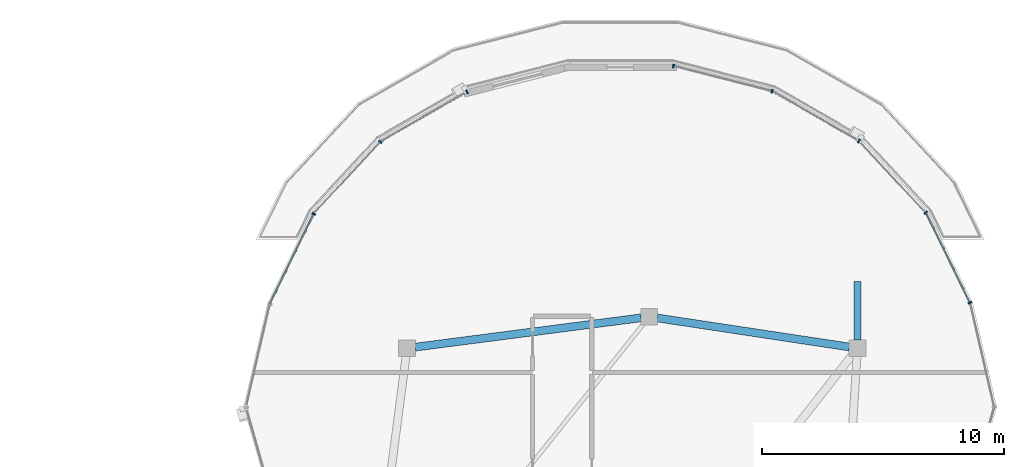
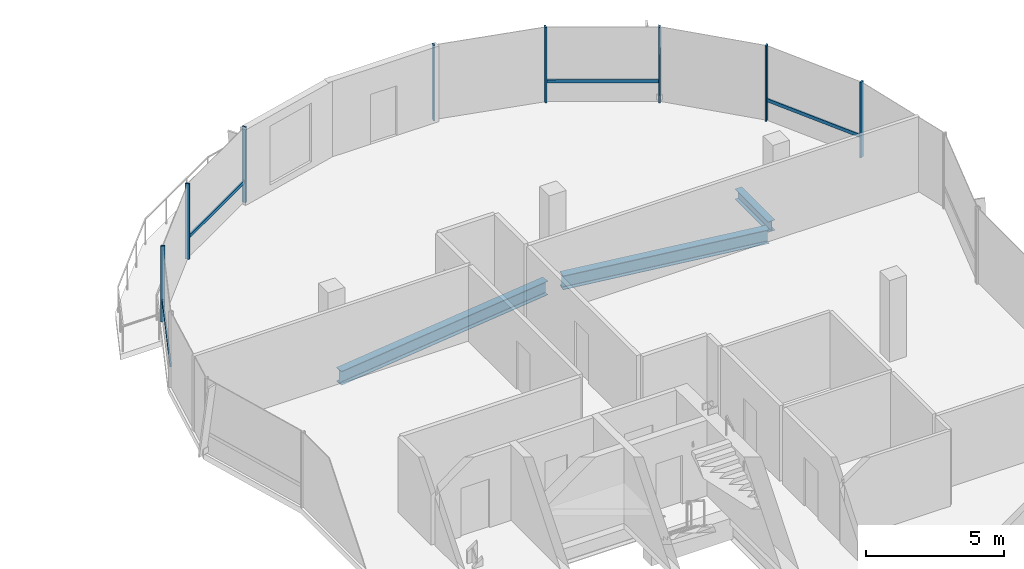
# One storey, part 9 of 20: 12 members, 3 beams, 2 elements without a shape of their own.
"""IFC4 building model written with IfcOpenShell, lengths in metres."""

from ifc_helpers import new_model, si_unit, direction, frame, origin, origin_2d, place, context, subcontext, project, spatial, rectangle, i_section, extrude, material, material_profile, profile_set, type_object, element, aggregate, save


model = new_model("IFC4")

# Units and contexts
model_context = context("Model", 3, precision=1e-05, world=origin(), true_north=direction((0.0, 1.0)))
body_context = subcontext(model_context, "Body", "Model", "MODEL_VIEW")
ifc_project = project(units=[si_unit("LENGTHUNIT", "METRE"), si_unit("AREAUNIT", "SQUARE_METRE"), si_unit("VOLUMEUNIT", "CUBIC_METRE"), si_unit("PLANEANGLEUNIT", "RADIAN"), si_unit("MASSUNIT", "GRAM", prefix="KILO"), si_unit("THERMODYNAMICTEMPERATUREUNIT", "KELVIN"), si_unit("POWERUNIT", "WATT")], contexts=[model_context])

# Site, building, storey
site_placement = place(None, origin())
site = spatial("IfcSite", under=ifc_project, at=site_placement, CompositionType="ELEMENT")
building_placement = place(site_placement, origin())
building = spatial("IfcBuilding", under=site, at=building_placement, Name="Cundina Bronze Exchange", CompositionType="ELEMENT")
storey_placement = place(building_placement, frame((0.0, 0.0, 279.199951171875)))
storey = spatial("IfcBuildingStorey", under=building, at=storey_placement, Name="L74", CompositionType="ELEMENT", Elevation=279.199951171875)

# Beams
ifc_material_1 = material(Name="Steel ASTM A992 Grade 50", Category="steel")
ifc_material_profile_1 = material_profile(ifc_material_1, i_section(OverallWidth=0.280029296875, OverallDepth=0.462890625, WebThickness=0.0107421875, FlangeThickness=0.017333984375, FilletRadius=0.011962890625, at=origin_2d()), Name="W18X76", Category="steel")
ifc_profile_set_1 = profile_set([ifc_material_profile_1], Name="Steel ASTM A992 Grade 50")
beam_type_1 = type_object("IfcBeamType", Name="BM-FLR-W18A", PredefinedType="BEAM", material=ifc_profile_set_1)
beam_1_placement = place(storey_placement, frame((41.800048828125, 9.837890625, -0.496337890625), z_axis=(0.0, 1.0, 0.0), x_axis=(-1.0, 0.0, 0.0)))
element("IfcBeam", 1, at=beam_1_placement, inside=storey, type_object=beam_type_1, Name="L74 E Crown Terrace Edge Bracket 2", PredefinedType="BEAM", context=body_context, shape_type="SweptSolid", body=[
    extrude(i_section(OverallWidth=0.280029296875, OverallDepth=0.462890625, WebThickness=0.0107421875, FlangeThickness=0.017333984375, FilletRadius=0.011962890625, at=origin_2d()), origin(), (0.0, 0.0, 1.0), 2.412109375),
])
ifc_material_profile_2 = material_profile(ifc_material_1, i_section(OverallWidth=0.324951171875, OverallDepth=0.615966796875, WebThickness=0.013916015625, FlangeThickness=0.021484375, FilletRadius=0.01611328125, at=origin_2d()), Name="W24X117", Category="steel")
ifc_profile_set_2 = profile_set([ifc_material_profile_2], Name="Steel ASTM A992 Grade 50")
beam_type_2 = type_object("IfcBeamType", Name="BM-RING-W24", PredefinedType="USERDEFINED", material=ifc_profile_set_2)
beam_2_placement = place(storey_placement, frame((41.4658203125, 9.550537109375, -0.56787109375), z_axis=(-0.988766944604, 0.149465478483, 0.0), x_axis=(-0.149465478483, -0.988766944604, 0.0)))
element("IfcBeam", 2, at=beam_2_placement, inside=storey, type_object=beam_type_2, Name="L74 E Inner Structural Ring Girder 05", ObjectType="GIRDER", PredefinedType="USERDEFINED", context=body_context, shape_type="SweptSolid", body=[
    extrude(i_section(OverallWidth=0.324951171875, OverallDepth=0.615966796875, WebThickness=0.013916015625, FlangeThickness=0.021484375, FilletRadius=0.01611328125, at=origin_2d()), origin(), (0.0, 0.0, 1.0), 8.021728515625),
])
beam_3_placement = place(storey_placement, frame((32.86474609375, 10.75634765625, -0.56787109375), z_axis=(-0.991658337433, -0.128894304758, 0.0), x_axis=(0.128894304758, -0.991658337433, 0.0)))
element("IfcBeam", 3, at=beam_3_placement, inside=storey, type_object=beam_type_2, Name="L74 E Inner Structural Ring Girder 06", ObjectType="GIRDER", PredefinedType="USERDEFINED", context=body_context, shape_type="SweptSolid", body=[
    extrude(i_section(OverallWidth=0.324951171875, OverallDepth=0.615966796875, WebThickness=0.013916015625, FlangeThickness=0.021484375, FilletRadius=0.01611328125, at=origin_2d()), origin(), (0.0, 0.0, 1.0), 9.407958984375),
])

# Curtain wall, members
ifc_material_2 = material(Name="Anodised Bronze Aluminium 6063-T6", Category="aluminium")
curtain_wall_type = type_object("IfcCurtainWallType", Name="CWS-CRN-TMD", PredefinedType="NOTDEFINED", material=ifc_material_2)
curtain_wall_1_placement = place(storey_placement, origin())
curtain_wall_1 = element("IfcCurtainWall", 4, at=curtain_wall_1_placement, inside=storey, type_object=curtain_wall_type, Name="L74 CW-07 Curtain Wall Run CWR-L74-E1", PredefinedType="NOTDEFINED")
ifc_material_profile_3 = material_profile(ifc_material_2, rectangle(XDim=0.06494140625, YDim=0.159912109375, at=origin_2d()), Name="AL65X160", Category="aluminium")
ifc_profile_set_3 = profile_set([ifc_material_profile_3], Name="Anodised Bronze Aluminium 6063-T6")
member_type_1 = type_object("IfcMemberType", Name="CWM-MUL-160", PredefinedType="MULLION", material=ifc_profile_set_3)
member_1_placement = place(storey_placement, frame((46.4462890625, 11.382080078125, 0.0), z_axis=(0.0, 0.0, 1.0), x_axis=(-0.439312121178, 0.898334492373, 0.0)))
member_1 = element("IfcMember", 5, at=member_1_placement, type_object=member_type_1, Name="CW-07 Mullion 3", PredefinedType="MULLION", context=body_context, shape_type="SweptSolid", body=[
    extrude(rectangle(XDim=0.06494140625, YDim=0.159912109375, at=origin_2d()), origin(), (0.0, 0.0, 1.0), 3.340087890625),
])
member_2_placement = place(storey_placement, frame((44.619873046875, 15.097412109375, 0.0), z_axis=(0.0, 0.0, 1.0), x_axis=(-0.680465121782, 0.732780470562, 0.0)))
member_2 = element("IfcMember", 6, at=member_2_placement, type_object=member_type_1, Name="CW-07 Mullion 4", PredefinedType="MULLION", context=body_context, shape_type="SweptSolid", body=[
    extrude(rectangle(XDim=0.06494140625, YDim=0.159912109375, at=origin_2d()), origin(), (0.0, 0.0, 1.0), 3.340087890625),
])
member_3_placement = place(storey_placement, frame((41.859619140625, 18.05615234375, 0.0), z_axis=(0.0, 0.0, 1.0), x_axis=(-0.866461406284, 0.499244059975, 0.0)))
member_3 = element("IfcMember", 7, at=member_3_placement, type_object=member_type_1, Name="CW-07 Mullion 5", PredefinedType="MULLION", context=body_context, shape_type="SweptSolid", body=[
    extrude(rectangle(XDim=0.06494140625, YDim=0.159912109375, at=origin_2d()), origin(), (0.0, 0.0, 1.0), 3.340087890625),
])
member_4_placement = place(storey_placement, frame((38.272216796875, 20.11328125, 0.0), z_axis=(0.0, 0.0, 1.0), x_axis=(-0.968756543371, 0.248013628006, 0.0)))
member_4 = element("IfcMember", 8, at=member_4_placement, type_object=member_type_1, Name="CW-07 Mullion 6", PredefinedType="MULLION", context=body_context, shape_type="SweptSolid", body=[
    extrude(rectangle(XDim=0.06494140625, YDim=0.159912109375, at=origin_2d()), origin(), (0.0, 0.0, 1.0), 3.340087890625),
])
member_5_placement = place(storey_placement, frame((34.197265625, 21.15673828125, 0.0), z_axis=(0.0, 0.0, 1.0), x_axis=(-0.968756543371, 0.248013628006, 0.0)))
member_5 = element("IfcMember", 9, at=member_5_placement, type_object=member_type_1, Name="CW-07 End Mullion", PredefinedType="MULLION", context=body_context, shape_type="SweptSolid", body=[
    extrude(rectangle(XDim=0.06494140625, YDim=0.159912109375, at=origin_2d()), origin(), (0.0, 0.0, 1.0), 3.340087890625),
])

curtain_wall_2_placement = place(storey_placement, origin())
curtain_wall_2 = element("IfcCurtainWall", 10, at=curtain_wall_2_placement, inside=storey, type_object=curtain_wall_type, Name="L74 CW-07 Curtain Wall Run CWR-L74-E2", PredefinedType="NOTDEFINED")
member_6_placement = place(storey_placement, frame((25.66943359375, 20.089599609375, 0.0), z_axis=(0.0, 0.0, 1.0), x_axis=(-0.866461406284, -0.499244059975, 0.0)))
member_6 = element("IfcMember", 11, at=member_6_placement, type_object=member_type_1, Name="CW-07 Mullion 1", PredefinedType="MULLION", context=body_context, shape_type="SweptSolid", body=[
    extrude(rectangle(XDim=0.06494140625, YDim=0.159912109375, at=origin_2d()), origin(), (0.0, 0.0, 1.0), 3.340087890625),
])
member_7_placement = place(storey_placement, frame((22.09326171875, 18.0185546875, 0.0), z_axis=(0.0, 0.0, 1.0), x_axis=(-0.680465121782, -0.732780470562, 0.0)))
member_7 = element("IfcMember", 12, at=member_7_placement, type_object=member_type_1, Name="CW-07 Mullion 2", PredefinedType="MULLION", context=body_context, shape_type="SweptSolid", body=[
    extrude(rectangle(XDim=0.06494140625, YDim=0.159912109375, at=origin_2d()), origin(), (0.0, 0.0, 1.0), 3.340087890625),
])
member_8_placement = place(storey_placement, frame((19.345947265625, 15.047119140625, 0.0), z_axis=(0.0, 0.0, 1.0), x_axis=(-0.439312121178, -0.898334492373, 0.0)))
member_8 = element("IfcMember", 13, at=member_8_placement, type_object=member_type_1, Name="CW-07 Mullion 3", PredefinedType="MULLION", context=body_context, shape_type="SweptSolid", body=[
    extrude(rectangle(XDim=0.06494140625, YDim=0.159912109375, at=origin_2d()), origin(), (0.0, 0.0, 1.0), 3.340087890625),
])

# Member
ifc_material_profile_4 = material_profile(ifc_material_2, rectangle(XDim=0.06494140625, YDim=0.14990234375, at=origin_2d()), Name="AL65X150", Category="aluminium")
ifc_profile_set_4 = profile_set([ifc_material_profile_4], Name="Anodised Bronze Aluminium 6063-T6")
member_type_2 = type_object("IfcMemberType", Name="CWM-TRN-150", PredefinedType="USERDEFINED", material=ifc_profile_set_4)
member_9_placement = place(storey_placement, frame((46.430419921875, 11.4140625, 0.920166015625), z_axis=(-0.439225157516, 0.898377014958, 0.0), x_axis=(-0.898377014958, -0.439225157516, 0.0)))
member_9 = element("IfcMember", 14, at=member_9_placement, type_object=member_type_2, Name="CW-07 Spandrel Transom 3", ObjectType="TRANSOM", PredefinedType="USERDEFINED", context=body_context, shape_type="SweptSolid", body=[
    extrude(rectangle(XDim=0.06494140625, YDim=0.14990234375, at=origin_2d()), origin(), (0.0, 0.0, 1.0), 4.079833984375),
])

member_10_placement = place(storey_placement, frame((41.82861328125, 18.073974609375, 0.920166015625), z_axis=(-0.866455894973, 0.49925362499, 0.0), x_axis=(-0.49925362499, -0.866455894973, 0.0)))
member_10 = element("IfcMember", 15, at=member_10_placement, type_object=member_type_2, Name="CW-07 Spandrel Transom 5", ObjectType="TRANSOM", PredefinedType="USERDEFINED", context=body_context, shape_type="SweptSolid", body=[
    extrude(rectangle(XDim=0.06494140625, YDim=0.14990234375, at=origin_2d()), origin(), (0.0, 0.0, 1.0), 4.072998046875),
])

aggregate(curtain_wall_1, [member_1, member_9, member_2, member_3, member_10, member_4, member_5])

member_11_placement = place(storey_placement, frame((25.638427734375, 20.07177734375, 0.920166015625), z_axis=(-0.866429964967, -0.499298623879, 0.0), x_axis=(0.499298623879, -0.866429964967, 0.0)))
member_11 = element("IfcMember", 16, at=member_11_placement, type_object=member_type_2, Name="CW-07 Spandrel Transom 1", ObjectType="TRANSOM", PredefinedType="USERDEFINED", context=body_context, shape_type="SweptSolid", body=[
    extrude(rectangle(XDim=0.06494140625, YDim=0.14990234375, at=origin_2d()), origin(), (0.0, 0.0, 1.0), 4.072998046875),
])

member_12_placement = place(storey_placement, frame((19.330078125, 15.01513671875, 0.920166015625), z_axis=(-0.439225157516, -0.898377014958, 0.0), x_axis=(0.898377014958, -0.439225157516, 0.0)))
member_12 = element("IfcMember", 17, at=member_12_placement, type_object=member_type_2, Name="CW-07 Spandrel Transom 3", ObjectType="TRANSOM", PredefinedType="USERDEFINED", context=body_context, shape_type="SweptSolid", body=[
    extrude(rectangle(XDim=0.06494140625, YDim=0.14990234375, at=origin_2d()), origin(), (0.0, 0.0, 1.0), 4.079833984375),
])

aggregate(curtain_wall_2, [member_6, member_11, member_7, member_8, member_12])

save(model, "model.ifc")
